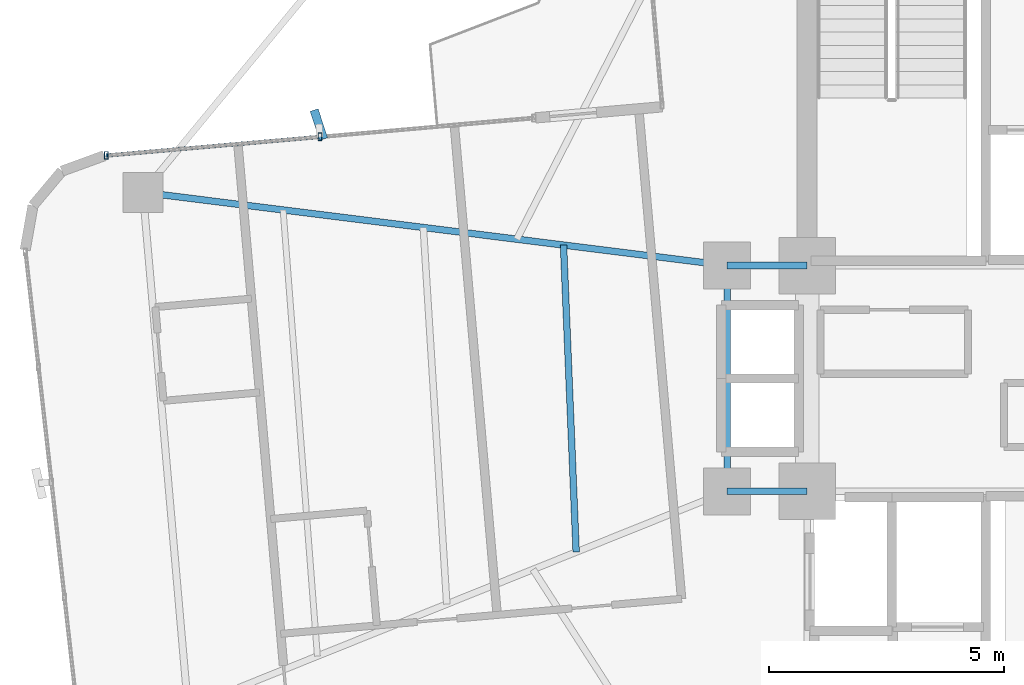
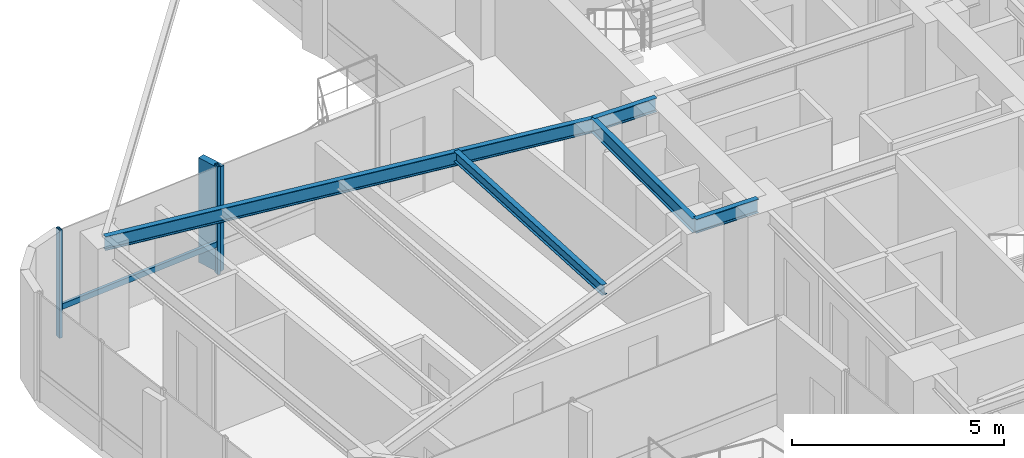
# One storey, part 9 of 24: 5 beams, 4 members, 1 element without a shape of its own.
"""IFC4 building model written with IfcOpenShell, lengths in metres."""

import ifcopenshell
import ifcopenshell.guid

model = None  # the IFC model being written
_history = None  # IfcOwnerHistory: only IFC2X3 demands one
_inside = {}  # id of a spatial element -> (the spatial element, [elements in it])
_under = {}  # id of a project, library or spatial element -> (it, [spatial elements below it])
_declared = {}  # id of a project -> (the project, [libraries it declares])
_typed = {}  # id of a type object -> (the type object, [elements of that type])
_made_of = {}  # id of a material, layer set ... -> (it, [elements and type objects made of it])


def new_model(schema):
    """Start an empty IFC model of exactly this schema.

    Asked for "IFC4X3", IfcOpenShell would pick the latest addendum, in which some entities
    have other attributes; the version numbers below select the first issue.
    IFC2X3 requires an IfcOwnerHistory on every rooted entity: one is made here for all.
    """
    global model, _history
    if schema == "IFC4X3":
        model = ifcopenshell.file(schema_version=(4, 3, 0, 0))
    else:
        model = ifcopenshell.file(schema=schema)
    _inside.clear()
    _under.clear()
    _declared.clear()
    _typed.clear()
    _made_of.clear()
    _history = None
    if model.schema == "IFC2X3":
        org = make("IfcOrganization", Name="unknown")
        user = make(
            "IfcPersonAndOrganization",
            ThePerson=make("IfcPerson", FamilyName="unknown"),
            TheOrganization=org,
        )
        app = make(
            "IfcApplication",
            ApplicationDeveloper=org,
            Version="unknown",
            ApplicationFullName="unknown",
            ApplicationIdentifier="unknown",
        )
        _history = make(
            "IfcOwnerHistory",
            OwningUser=user,
            OwningApplication=app,
            ChangeAction="ADDED",
            CreationDate=0,
        )
    return model


def make(cls, **values):
    """One entity of the class cls with the attributes given. An attribute that is None is left unset."""
    return model.create_entity(
        cls, **{name: value for name, value in values.items() if value is not None}
    )


def rooted(cls, **values):
    """An entity with a GlobalId (a new one), such as an element, a storey or a relation."""
    return make(cls, GlobalId=ifcopenshell.guid.new(), OwnerHistory=_history, **values)


def si_unit(unit_type, name, prefix=None):
    """IfcSIUnit, for example si_unit("LENGTHUNIT", "METRE", prefix="MILLI")."""
    return make("IfcSIUnit", UnitType=unit_type, Prefix=prefix, Name=name)


def assignment(units):
    """IfcUnitAssignment: the units of a project."""
    return None if units is None else make("IfcUnitAssignment", Units=units)


def point(xyz):
    """IfcCartesianPoint."""
    return None if xyz is None else make("IfcCartesianPoint", Coordinates=xyz)


def direction(xyz):
    """IfcDirection."""
    return None if xyz is None else make("IfcDirection", DirectionRatios=xyz)


def frame(location, z_axis=None, x_axis=None):
    """IfcAxis2Placement3D, a coordinate frame: its origin and axes. An axis left out is left unset."""
    return make(
        "IfcAxis2Placement3D",
        Location=point(location),
        Axis=direction(z_axis),
        RefDirection=direction(x_axis),
    )


def frame_2d(location, x_axis=None):
    """IfcAxis2Placement2D, a coordinate frame in the plane: its origin and x axis."""
    return make(
        "IfcAxis2Placement2D", Location=point(location), RefDirection=direction(x_axis)
    )


def origin():
    """The frame at (0, 0, 0) with its axes left unset."""
    return frame((0.0, 0.0, 0.0))


def origin_2d():
    """The frame at (0, 0) in the plane with its x axis left unset."""
    return frame_2d((0.0, 0.0))


def place(relative_to, where):
    """IfcLocalPlacement: puts the frame where relative to a parent placement (None: the world)."""
    return make(
        "IfcLocalPlacement", PlacementRelTo=relative_to, RelativePlacement=where
    )


def context(
    kind, dimensions, precision=None, world=None, true_north=None, identifier=None
):
    """IfcGeometricRepresentationContext, for example the 3D "Model" context."""
    return make(
        "IfcGeometricRepresentationContext",
        ContextIdentifier=identifier,
        ContextType=kind,
        CoordinateSpaceDimension=dimensions,
        Precision=precision,
        WorldCoordinateSystem=world,
        TrueNorth=true_north,
    )


def subcontext(parent, identifier, kind, view, scale=None):
    """IfcGeometricRepresentationSubContext, for example "Body" below "Model"."""
    return make(
        "IfcGeometricRepresentationSubContext",
        ContextIdentifier=identifier,
        ContextType=kind,
        ParentContext=parent,
        TargetScale=scale,
        TargetView=view,
    )


def project(units=None, contexts=None):
    """IfcProject with its units and contexts."""
    return rooted(
        "IfcProject",
        Name="project",
        RepresentationContexts=contexts,
        UnitsInContext=assignment(units),
    )


def spatial(cls, under=None, at=None, **own):
    """A site, building, storey or space (cls), placed at a placement, below another one or the project."""
    s = rooted(cls, ObjectPlacement=at, **own)
    if under is not None:
        _under.setdefault(under.id(), (under, []))[1].append(s)
    return s


def profile(cls, at=None, kind="AREA", **sizes):
    """A parametric profile (cls). Its sizes go by their IFC names, for example OverallWidth=200.0."""
    return make(cls, ProfileType=kind, Position=at, **sizes)


def rectangle(**sizes):
    """IfcRectangleProfileDef."""
    return profile("IfcRectangleProfileDef", **sizes)


def hollow_rectangle(**sizes):
    """IfcRectangleHollowProfileDef."""
    return profile("IfcRectangleHollowProfileDef", **sizes)


def i_section(**sizes):
    """IfcIShapeProfileDef."""
    return profile("IfcIShapeProfileDef", **sizes)


def extrude(swept, where, along, depth):
    """IfcExtrudedAreaSolid: the profile swept, set in the frame where, extruded along a direction by depth."""
    return make(
        "IfcExtrudedAreaSolid",
        SweptArea=swept,
        Position=where,
        ExtrudedDirection=direction(along),
        Depth=depth,
    )


def shape(context_of_items, identifier, shape_type, items):
    """IfcShapeRepresentation: the items that make up one representation, for example the "Body"."""
    return make(
        "IfcShapeRepresentation",
        ContextOfItems=context_of_items,
        RepresentationIdentifier=identifier,
        RepresentationType=shape_type,
        Items=items,
    )


def source(mapping_origin, context_of_items, identifier, shape_type, items):
    """IfcRepresentationMap: a shape defined once, which mapped items show again and again."""
    return make(
        "IfcRepresentationMap",
        MappingOrigin=mapping_origin,
        MappedRepresentation=shape(context_of_items, identifier, shape_type, items),
    )


def transform(
    local_origin,
    x_axis=None,
    y_axis=None,
    z_axis=None,
    scale=None,
    scale2=None,
    scale3=None,
    uniform=True,
):
    """IfcCartesianTransformationOperator3D, or its non-uniform kind. x_axis, y_axis, z_axis: its Axis1, 2, 3."""
    if uniform:
        return make(
            "IfcCartesianTransformationOperator3D",
            Axis1=direction(x_axis),
            Axis2=direction(y_axis),
            LocalOrigin=point(local_origin),
            Scale=scale,
            Axis3=direction(z_axis),
        )
    return make(
        "IfcCartesianTransformationOperator3DnonUniform",
        Axis1=direction(x_axis),
        Axis2=direction(y_axis),
        LocalOrigin=point(local_origin),
        Scale=scale,
        Axis3=direction(z_axis),
        Scale2=scale2,
        Scale3=scale3,
    )


def mapped(mapping_source, mapping_target):
    """IfcMappedItem: shows the shape of a source again, moved by a transform."""
    return make(
        "IfcMappedItem", MappingSource=mapping_source, MappingTarget=mapping_target
    )


def material(Name=None, Category=None):
    """IfcMaterial."""
    return make("IfcMaterial", Name=Name, Category=Category)


def material_profile(
    of_material, cross_section, Name=None, Category=None, Priority=None
):
    """IfcMaterialProfile: a cross section and its material."""
    return make(
        "IfcMaterialProfile",
        Name=Name,
        Material=of_material,
        Profile=cross_section,
        Priority=Priority,
        Category=Category,
    )


def profile_set(profiles, Name=None, composite=None):
    """IfcMaterialProfileSet."""
    return make(
        "IfcMaterialProfileSet",
        Name=Name,
        MaterialProfiles=profiles,
        CompositeProfile=composite,
    )


def made_of(thing, what):
    """Note that an element or type object is made of a material, layer set ...; save() writes the relation."""
    if what is not None:
        _made_of.setdefault(what.id(), (what, []))[1].append(thing)
    return thing


def type_object(cls, material=None, **own):
    """A type object (cls), such as IfcWallType, which elements share."""
    return made_of(rooted(cls, **own), material)


def element(
    cls,
    number,
    at=None,
    inside=None,
    cuts=None,
    type_object=None,
    material=None,
    context=None,
    identifier="Body",
    shape_type=None,
    held_by="IfcProductDefinitionShape",
    body=None,
    shapes=None,
    **own,
):
    """One element of the class cls, such as IfcWall. Its Tag is "e" and its number.

    at: its placement. inside: the storey or other place that contains it. cuts: it is an
    opening in that element (IfcRelVoidsElement). A single representation is given by context,
    identifier, shape_type and body (its items); several are given by shapes. held_by: the class
    of the entity that holds the representations. save() writes the other relations.
    """
    e = rooted(cls, Tag="e%d" % number, ObjectPlacement=at, **own)
    if body is not None:
        shapes = [shape(context, identifier, shape_type, body)]
    if shapes is not None:
        e.Representation = make(held_by, Representations=shapes)
    if inside is not None:
        _inside.setdefault(inside.id(), (inside, []))[1].append(e)
    if cuts is not None:
        rooted(
            "IfcRelVoidsElement", RelatingBuildingElement=cuts, RelatedOpeningElement=e
        )
    if type_object is not None:
        _typed.setdefault(type_object.id(), (type_object, []))[1].append(e)
    return made_of(e, material)


def aggregate(whole, parts):
    """IfcRelAggregates: a whole, such as a stair, and the parts it consists of."""
    return rooted("IfcRelAggregates", RelatingObject=whole, RelatedObjects=parts)


def save(model, path):
    """Write the relations noted so far, then the file.

    IfcRelAggregates (storeys below a building ...), IfcRelContainedInSpatialStructure (elements
    in a storey), IfcRelDefinesByType, IfcRelAssociatesMaterial and IfcRelDeclares: one each for
    every whole, place, type object, material and project.
    """
    for whole, parts in _under.values():
        aggregate(whole, parts)
    for where, things in _inside.values():
        rooted(
            "IfcRelContainedInSpatialStructure",
            RelatedElements=things,
            RelatingStructure=where,
        )
    for kind, things in _typed.values():
        rooted("IfcRelDefinesByType", RelatedObjects=things, RelatingType=kind)
    for what, things in _made_of.values():
        rooted("IfcRelAssociatesMaterial", RelatedObjects=things, RelatingMaterial=what)
    for by, libraries in _declared.values():
        rooted("IfcRelDeclares", RelatingContext=by, RelatedDefinitions=libraries)
    model.write(path)


model = new_model("IFC4")

# Units and contexts
model_context = context("Model", 3, precision=1e-05, world=origin(), true_north=direction((0.0, 1.0)))
body_context = subcontext(model_context, "Body", "Model", "MODEL_VIEW")
ifc_project = project(units=[si_unit("LENGTHUNIT", "METRE"), si_unit("AREAUNIT", "SQUARE_METRE"), si_unit("VOLUMEUNIT", "CUBIC_METRE"), si_unit("PLANEANGLEUNIT", "RADIAN"), si_unit("MASSUNIT", "GRAM", prefix="KILO")], contexts=[model_context])

# Site, building, storey
site_placement = place(None, origin())
site = spatial("IfcSite", under=ifc_project, at=site_placement, CompositionType="ELEMENT")
building_placement = place(site_placement, origin())
building = spatial("IfcBuilding", under=site, at=building_placement, Name="Sahyath Konkavel Grand Hotel", CompositionType="ELEMENT")
storey_placement = place(building_placement, frame((0.0, 0.0, 195.300048828125)))
storey = spatial("IfcBuildingStorey", under=building, at=storey_placement, Name="L54", CompositionType="ELEMENT", Elevation=195.300048828125)

# Beams
ifc_material_1 = material(Name="Steel E350", Category="steel")
ifc_material_profile_1 = material_profile(ifc_material_1, i_section(OverallWidth=0.139892578125, OverallDepth=0.39990234375, WebThickness=0.0087890625, FlangeThickness=0.01611328125, FilletRadius=0.013916015625, at=origin_2d()), Name="ISMB 400")
ifc_profile_set_1 = profile_set([ifc_material_profile_1], Name="Steel E350")
beam_type_1 = type_object("IfcBeamType", Name="BM-ISMB400", PredefinedType="BEAM", material=ifc_profile_set_1)
shared_shape_1 = source(origin(), body_context, "Body", "SweptSolid", [
    extrude(i_section(OverallWidth=0.139892578125, OverallDepth=0.39990234375, WebThickness=0.0087890625, FlangeThickness=0.01611328125, FilletRadius=0.013916015625, at=origin_2d()), origin(), (0.0, 0.0, 1.0), 1.699951171875),
])
for number, where, z_axis, x_axis, name in (
    (1, (-5.5, 2.39990234375, 2.909912109375), (1.0, 0.0, 0.0), (0.0, 1.0, 0.0), "str:bm:L54:HB-NW"),
    (2, (-5.5, -2.39990234375, 2.909912109375), (1.0, 0.0, 0.0), (0.0, 1.0, 0.0), "str:bm:L54:HB-SW"),
):
    element("IfcBeam", number, at=place(storey_placement, frame(where, z_axis=z_axis, x_axis=x_axis)), inside=storey, type_object=beam_type_1, Name=name, PredefinedType="BEAM", context=body_context, shape_type="MappedRepresentation", body=[
        mapped(shared_shape_1, transform((0.0, 0.0, 0.0), scale=1.0)),
    ])
shared_shape_2 = source(origin(), body_context, "Body", "SweptSolid", [
    extrude(i_section(OverallWidth=0.139892578125, OverallDepth=0.39990234375, WebThickness=0.0087890625, FlangeThickness=0.01611328125, FilletRadius=0.013916015625, at=origin_2d()), origin(), (0.0, 0.0, 1.0), 4.7998046875),
])
beam_1_placement = place(storey_placement, frame((-5.5, -2.39990234375, 2.909912109375), z_axis=(0.0, 1.0, 0.0), x_axis=(-1.0, 0.0, 0.0)))
element("IfcBeam", 3, at=beam_1_placement, inside=storey, type_object=beam_type_1, Name="str:bm:L54:HB-W", PredefinedType="BEAM", context=body_context, shape_type="MappedRepresentation", body=[
    mapped(shared_shape_2, transform((0.0, 0.0, 0.0), scale=1.0)),
])
shared_shape_3 = source(origin(), body_context, "Body", "SweptSolid", [
    extrude(i_section(OverallWidth=0.139892578125, OverallDepth=0.39990234375, WebThickness=0.0087890625, FlangeThickness=0.01611328125, FilletRadius=0.013916015625, at=origin_2d()), origin(), (0.0, 0.0, 1.0), 12.509765625),
])
beam_2_placement = place(storey_placement, frame((-5.5, 2.39990234375, 2.909912109375), z_axis=(-0.992254740459, 0.124219684578, 0.0), x_axis=(-0.124219684578, -0.992254740459, 0.0)))
element("IfcBeam", 4, at=beam_2_placement, inside=storey, type_object=beam_type_1, Name="L54 Cruciform Radial Girder WA", PredefinedType="BEAM", context=body_context, shape_type="MappedRepresentation", body=[
    mapped(shared_shape_3, transform((0.0, 0.0, 0.0), scale=1.0)),
])
ifc_material_profile_2 = material_profile(ifc_material_1, i_section(OverallWidth=0.139892578125, OverallDepth=0.300048828125, WebThickness=0.0078125, FlangeThickness=0.01318359375, FilletRadius=0.013916015625, at=origin_2d()), Name="ISMB 300")
ifc_profile_set_2 = profile_set([ifc_material_profile_2], Name="Steel E350")
beam_type_2 = type_object("IfcBeamType", Name="BM-ISMB300", PredefinedType="BEAM", material=ifc_profile_set_2)
shared_shape_4 = source(origin(), body_context, "Body", "SweptSolid", [
    extrude(i_section(OverallWidth=0.139892578125, OverallDepth=0.300048828125, WebThickness=0.0078125, FlangeThickness=0.01318359375, FilletRadius=0.013916015625, at=origin_2d()), origin(), (0.0, 0.0, 1.0), 6.530029296875),
])
beam_3_placement = place(storey_placement, frame((-8.9755859375, 2.835205078125, 2.9599609375), z_axis=(0.04112667768, -0.999153940283, 0.0), x_axis=(0.999153940283, 0.04112667768, 0.0)))
element("IfcBeam", 5, at=beam_3_placement, inside=storey, type_object=beam_type_2, Name="L54 Secondary Floor Beam W-1", PredefinedType="BEAM", context=body_context, shape_type="MappedRepresentation", body=[
    mapped(shared_shape_4, transform((0.0, 0.0, 0.0), scale=1.0)),
])

# Curtain wall, members
ifc_material_2 = material(Name="Anodised Bronze Aluminium & Low-E Glazing", Category="aluminium")
curtain_wall_type = type_object("IfcCurtainWallType", Name="CW-ZONE3", PredefinedType="NOTDEFINED", material=ifc_material_2)
curtain_wall_placement = place(storey_placement, origin())
curtain_wall = element("IfcCurtainWall", 6, at=curtain_wall_placement, inside=storey, type_object=curtain_wall_type, Name="L54 Unitised Curtain Wall F16", PredefinedType="NOTDEFINED")
ifc_material_3 = material(Name="Anodised Bronze Aluminium", Category="aluminium")
ifc_material_profile_3 = material_profile(ifc_material_3, hollow_rectangle(XDim=0.080078125, YDim=0.159912109375, WallThickness=0.006103515625, at=origin_2d()), Name="RHS 160x80x6")
ifc_profile_set_3 = profile_set([ifc_material_profile_3], Name="Anodised Bronze Aluminium")
member_type_1 = type_object("IfcMemberType", Name="CW-MUL-160", PredefinedType="MULLION", material=ifc_profile_set_3)
shared_shape_5 = source(origin(), body_context, "Body", "SweptSolid", [
    extrude(hollow_rectangle(XDim=0.080078125, YDim=0.159912109375, WallThickness=0.006103515625, at=origin_2d()), origin(), (0.0, 0.0, 1.0), 3.10986328125),
])
member_1_placement = place(storey_placement, frame((-14.151611328125, 5.135986328125, 0.0), z_axis=(0.0, 0.0, 1.0), x_axis=(1.0, 0.0, 0.0)))
member_1 = element("IfcMember", 7, at=member_1_placement, type_object=member_type_1, Name="L54 Curtain Wall Mullion F16-1", PredefinedType="MULLION", context=body_context, shape_type="MappedRepresentation", body=[
    mapped(shared_shape_5, transform((0.0, 0.0, 0.0), scale=1.0)),
])
member_2_placement = place(storey_placement, frame((-18.694091796875, 4.73876953125, 0.0), z_axis=(0.0, 0.0, 1.0), x_axis=(1.0, 0.0, 0.0)))
member_2 = element("IfcMember", 8, at=member_2_placement, type_object=member_type_1, Name="L54 Curtain Wall Mullion F16-2", PredefinedType="MULLION", context=body_context, shape_type="MappedRepresentation", body=[
    mapped(shared_shape_5, transform((0.0, 0.0, 0.0), scale=1.0)),
])
ifc_material_4 = material(Name="Warm Buff Sandstone Cladding on Concrete C50/60", Category="masonry")
ifc_material_profile_4 = material_profile(ifc_material_4, rectangle(XDim=0.179931640625, YDim=0.64990234375, at=origin_2d()), Name="FIN 180x650")
ifc_profile_set_4 = profile_set([ifc_material_profile_4], Name="Warm Buff Sandstone Cladding on Concrete C50/60")
member_type_2 = type_object("IfcMemberType", Name="FIN-SANDSTONE-650", PredefinedType="MULLION", material=ifc_profile_set_4)
shared_shape_6 = source(origin(), body_context, "Body", "SweptSolid", [
    extrude(rectangle(XDim=0.179931640625, YDim=0.64990234375, at=origin_2d()), origin(), (0.0, 0.0, 1.0), 3.010009765625),
])
member_3_placement = place(storey_placement, frame((-14.17431640625, 5.39501953125, 0.050048828125), z_axis=(0.0, 0.0, 1.0), x_axis=(0.951056516295, 0.309016994375, 0.0)))
member_3 = element("IfcMember", 9, at=member_3_placement, type_object=member_type_2, Name="L54 Sandstone Vertical Solar Fin FIN F16-1", PredefinedType="MULLION", context=body_context, shape_type="MappedRepresentation", body=[
    mapped(shared_shape_6, transform((0.0, 0.0, 0.0), scale=1.0)),
])
ifc_material_profile_5 = material_profile(ifc_material_3, hollow_rectangle(XDim=0.080078125, YDim=0.159912109375, WallThickness=0.006103515625, at=origin_2d()), Name="RHS 160x80x6")
ifc_profile_set_5 = profile_set([ifc_material_profile_5], Name="Anodised Bronze Aluminium")
member_type_3 = type_object("IfcMemberType", Name="CW-TRN-160", PredefinedType="USERDEFINED", material=ifc_profile_set_5)
shared_shape_7 = source(origin(), body_context, "Body", "SweptSolid", [
    extrude(hollow_rectangle(XDim=0.080078125, YDim=0.159912109375, WallThickness=0.006103515625, at=origin_2d()), origin(), (0.0, 0.0, 1.0), 4.559814453125),
])
member_4_placement = place(storey_placement, frame((-14.151611328125, 5.135986328125, 0.849853515625), z_axis=(-0.99619848155, -0.087112486804, 0.0), x_axis=(0.087112486804, -0.99619848155, 0.0)))
member_4 = element("IfcMember", 10, at=member_4_placement, type_object=member_type_3, Name="L54 Curtain Wall Transom F16-1-spandrel", ObjectType="TRANSOM", PredefinedType="USERDEFINED", context=body_context, shape_type="MappedRepresentation", body=[
    mapped(shared_shape_7, transform((0.0, 0.0, 0.0), scale=1.0)),
])
aggregate(curtain_wall, [member_1, member_3, member_2, member_4])

save(model, "model.ifc")
